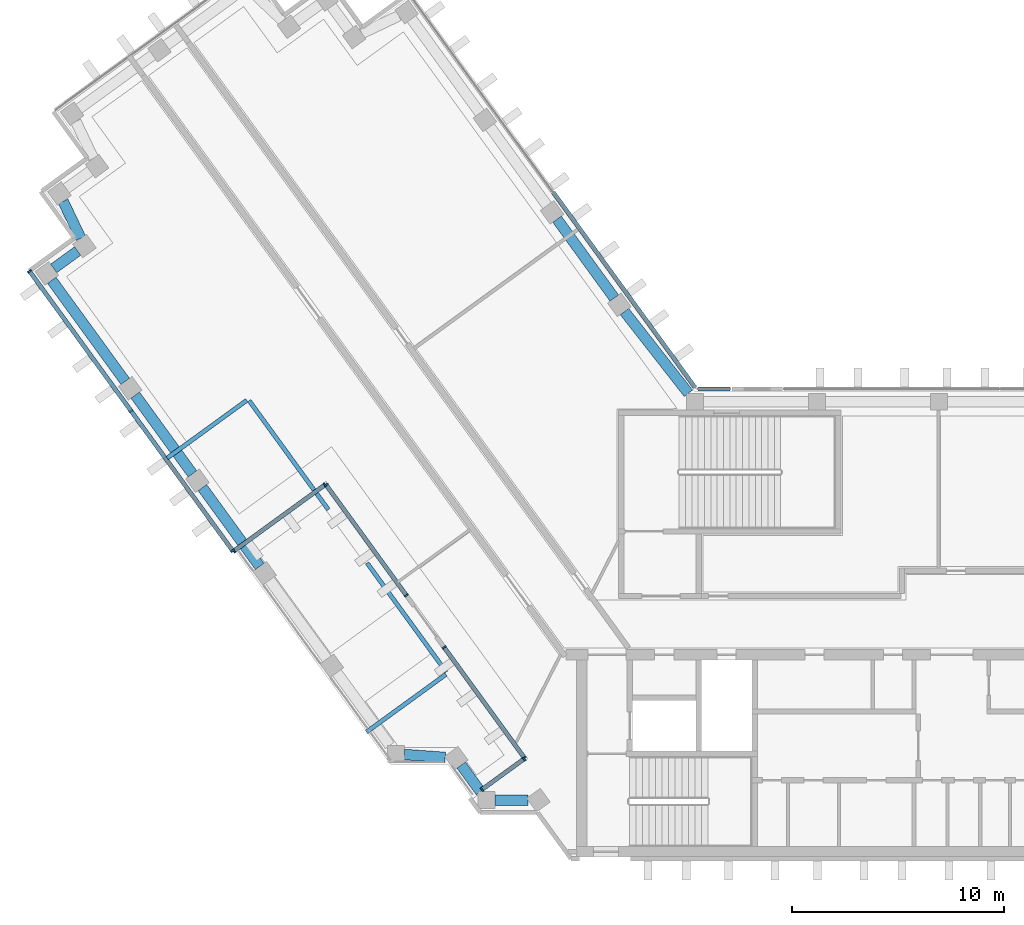
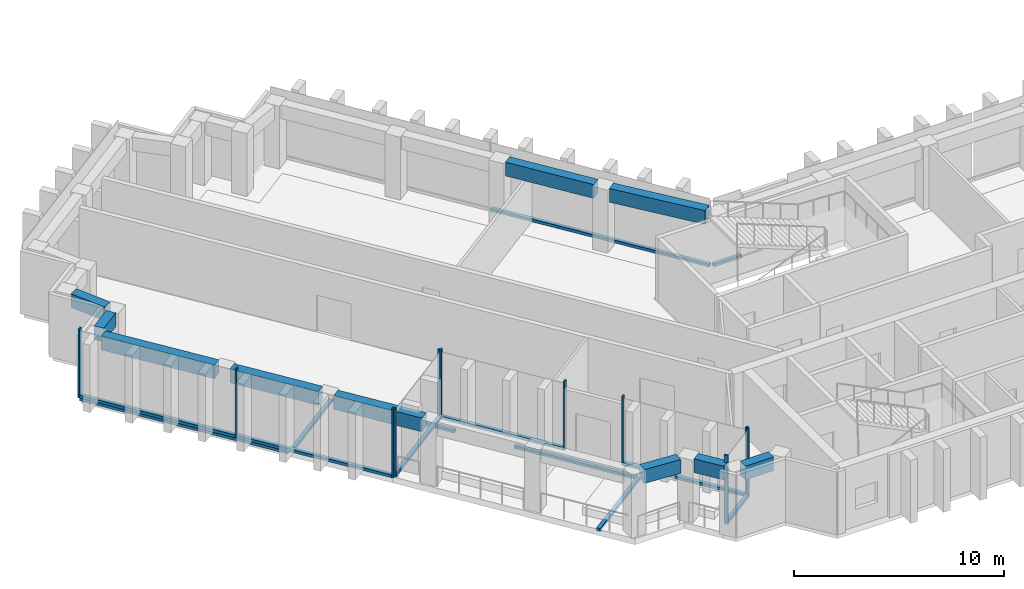
"""IFC4 building model written with IfcOpenShell, lengths in metres."""

from ifc_helpers import new_model, si_unit, direction, frame, origin, origin_2d, place, context, subcontext, project, spatial, rectangle, extrude, material, material_profile, profile_set, type_object, element, aggregate, save


model = new_model("IFC4")

# Units and contexts
model_context = context("Model", 3, precision=1e-05, world=origin(), true_north=direction((0.0, 1.0)))
body_context = subcontext(model_context, "Body", "Model", "MODEL_VIEW")
ifc_project = project(units=[si_unit("LENGTHUNIT", "METRE"), si_unit("AREAUNIT", "SQUARE_METRE"), si_unit("VOLUMEUNIT", "CUBIC_METRE"), si_unit("PLANEANGLEUNIT", "RADIAN"), si_unit("MASSUNIT", "GRAM", prefix="KILO")], contexts=[model_context])

# Site, building, storey
site_placement = place(None, origin())
site = spatial("IfcSite", under=ifc_project, at=site_placement, CompositionType="ELEMENT")
building_placement = place(site_placement, origin())
building = spatial("IfcBuilding", under=site, at=building_placement, Name="Quipu Civic Tower", CompositionType="ELEMENT")
storey_1_placement = place(building_placement, frame((0.0, 0.0, 164.0)))
storey_1 = spatial("IfcBuildingStorey", under=building, at=storey_1_placement, Name="L38", CompositionType="ELEMENT", Elevation=164.0)

# Curtain wall, members
ifc_material_1 = material(Name="Insulated glass unit", Category="glass")
curtain_wall_type = type_object("IfcCurtainWallType", Name="Office curtain wall CW1", PredefinedType="NOTDEFINED", material=ifc_material_1)
curtain_wall_1_placement = place(storey_1_placement, origin())
curtain_wall_1 = element("IfcCurtainWall", 1, at=curtain_wall_1_placement, inside=storey_1, type_object=curtain_wall_type, Name="Office curtain wall CW1 L38 run 1", PredefinedType="NOTDEFINED")
ifc_material_2 = material(Name="Anodised aluminium", Category="aluminium")
ifc_material_profile_1 = material_profile(ifc_material_2, rectangle(XDim=0.199951171875, YDim=0.080078125, at=origin_2d()), Name="RECT 200x80")
ifc_profile_set_1 = profile_set([ifc_material_profile_1], Name="Anodised aluminium")
member_type_1 = type_object("IfcMemberType", Name="Mullion CW1", PredefinedType="MULLION", material=ifc_profile_set_1)
member_1_placement = place(storey_1_placement, frame((-45.825927734375, 16.661865234375, 0.080078125), z_axis=(0.0, 0.0, 1.0), x_axis=(0.80901470235, 0.587788406981, 0.0)))
member_1 = element("IfcMember", 2, at=member_1_placement, type_object=member_type_1, Name="CW1 mullion 1", PredefinedType="MULLION", context=body_context, shape_type="SweptSolid", body=[
    extrude(rectangle(XDim=0.199951171875, YDim=0.080078125, at=origin_2d()), origin(), (0.0, 0.0, 1.0), 4.0),
])
member_2_placement = place(storey_1_placement, frame((-41.029541015625, 10.060302734375, 0.080078125), z_axis=(0.0, 0.0, 1.0), x_axis=(0.80901470235, 0.587788406981, 0.0)))
member_2 = element("IfcMember", 3, at=member_2_placement, type_object=member_type_1, Name="CW1 mullion 2", PredefinedType="MULLION", context=body_context, shape_type="SweptSolid", body=[
    extrude(rectangle(XDim=0.199951171875, YDim=0.080078125, at=origin_2d()), origin(), (0.0, 0.0, 1.0), 4.0),
])
member_3_placement = place(storey_1_placement, frame((-36.2333984375, 3.458740234375, 0.080078125), z_axis=(0.0, 0.0, 1.0), x_axis=(0.80901470235, 0.587788406981, 0.0)))
member_3 = element("IfcMember", 4, at=member_3_placement, type_object=member_type_1, Name="CW1 mullion 3", PredefinedType="MULLION", context=body_context, shape_type="SweptSolid", body=[
    extrude(rectangle(XDim=0.199951171875, YDim=0.080078125, at=origin_2d()), origin(), (0.0, 0.0, 1.0), 4.0),
])

curtain_wall_2_placement = place(storey_1_placement, origin())
curtain_wall_2 = element("IfcCurtainWall", 5, at=curtain_wall_2_placement, inside=storey_1, type_object=curtain_wall_type, Name="Office curtain wall CW1 L38 run 2", PredefinedType="NOTDEFINED")
member_4_placement = place(storey_1_placement, frame((-36.177490234375, 3.449951171875, 0.080078125), z_axis=(0.0, 0.0, 1.0), x_axis=(-0.587779635352, 0.809021075291, 0.0)))
member_4 = element("IfcMember", 6, at=member_4_placement, type_object=member_type_1, Name="CW1 mullion 1", PredefinedType="MULLION", context=body_context, shape_type="SweptSolid", body=[
    extrude(rectangle(XDim=0.199951171875, YDim=0.080078125, at=origin_2d()), origin(), (0.0, 0.0, 1.0), 4.0),
])
member_5_placement = place(storey_1_placement, frame((-31.87353515625, 6.576904296875, 0.080078125), z_axis=(0.0, 0.0, 1.0), x_axis=(-0.587779635352, 0.809021075291, 0.0)))
member_5 = element("IfcMember", 7, at=member_5_placement, type_object=member_type_1, Name="CW1 mullion 2", PredefinedType="MULLION", context=body_context, shape_type="SweptSolid", body=[
    extrude(rectangle(XDim=0.199951171875, YDim=0.080078125, at=origin_2d()), origin(), (0.0, 0.0, 1.0), 4.0),
])

curtain_wall_3_placement = place(storey_1_placement, origin())
curtain_wall_3 = element("IfcCurtainWall", 8, at=curtain_wall_3_placement, inside=storey_1, type_object=curtain_wall_type, Name="Office curtain wall CW1 L38 run 3", PredefinedType="NOTDEFINED")
member_6_placement = place(storey_1_placement, frame((-31.817626953125, 6.568115234375, 0.080078125), z_axis=(0.0, 0.0, 1.0), x_axis=(0.809021906018, 0.587778491936, 0.0)))
member_6 = element("IfcMember", 9, at=member_6_placement, type_object=member_type_1, Name="CW1 mullion 1", PredefinedType="MULLION", context=body_context, shape_type="SweptSolid", body=[
    extrude(rectangle(XDim=0.199951171875, YDim=0.080078125, at=origin_2d()), origin(), (0.0, 0.0, 1.0), 4.0),
])
member_7_placement = place(storey_1_placement, frame((-28.033203125, 1.359130859375, 0.080078125), z_axis=(0.0, 0.0, 1.0), x_axis=(0.809021906018, 0.587778491936, 0.0)))
member_7 = element("IfcMember", 10, at=member_7_placement, type_object=member_type_1, Name="CW1 mullion 2", PredefinedType="MULLION", context=body_context, shape_type="SweptSolid", body=[
    extrude(rectangle(XDim=0.199951171875, YDim=0.080078125, at=origin_2d()), origin(), (0.0, 0.0, 1.0), 4.0),
])

curtain_wall_4_placement = place(storey_1_placement, origin())
curtain_wall_4 = element("IfcCurtainWall", 11, at=curtain_wall_4_placement, inside=storey_1, type_object=curtain_wall_type, Name="Office curtain wall CW1 L38 run 5", PredefinedType="NOTDEFINED")
member_8_placement = place(storey_1_placement, frame((-26.244384765625, -1.1025390625, 0.080078125), z_axis=(0.0, 0.0, 1.0), x_axis=(0.809018600878, 0.587783041125, 0.0)))
member_8 = element("IfcMember", 12, at=member_8_placement, type_object=member_type_1, Name="CW1 mullion 1", PredefinedType="MULLION", context=body_context, shape_type="SweptSolid", body=[
    extrude(rectangle(XDim=0.199951171875, YDim=0.080078125, at=origin_2d()), origin(), (0.0, 0.0, 1.0), 4.0),
])
member_9_placement = place(storey_1_placement, frame((-22.460205078125, -6.3115234375, 0.080078125), z_axis=(0.0, 0.0, 1.0), x_axis=(0.809018600878, 0.587783041125, 0.0)))
member_9 = element("IfcMember", 13, at=member_9_placement, type_object=member_type_1, Name="CW1 mullion 2", PredefinedType="MULLION", context=body_context, shape_type="SweptSolid", body=[
    extrude(rectangle(XDim=0.199951171875, YDim=0.080078125, at=origin_2d()), origin(), (0.0, 0.0, 1.0), 4.0),
])

curtain_wall_5_placement = place(storey_1_placement, origin())
curtain_wall_5 = element("IfcCurtainWall", 14, at=curtain_wall_5_placement, inside=storey_1, type_object=curtain_wall_type, Name="Office curtain wall CW1 L38 run 6", PredefinedType="NOTDEFINED")
member_10_placement = place(storey_1_placement, frame((-22.468994140625, -6.367431640625, 0.080078125), z_axis=(0.0, 0.0, 1.0), x_axis=(0.587789373972, -0.809013999783, 0.0)))
member_10 = element("IfcMember", 15, at=member_10_placement, type_object=member_type_1, Name="CW1 mullion 1", PredefinedType="MULLION", context=body_context, shape_type="SweptSolid", body=[
    extrude(rectangle(XDim=0.199951171875, YDim=0.080078125, at=origin_2d()), origin(), (0.0, 0.0, 1.0), 4.0),
])
member_11_placement = place(storey_1_placement, frame((-24.455322265625, -7.810546875, 0.080078125), z_axis=(0.0, 0.0, 1.0), x_axis=(0.587789373972, -0.809013999783, 0.0)))
member_11 = element("IfcMember", 16, at=member_11_placement, type_object=member_type_1, Name="CW1 mullion 2", PredefinedType="MULLION", context=body_context, shape_type="SweptSolid", body=[
    extrude(rectangle(XDim=0.199951171875, YDim=0.080078125, at=origin_2d()), origin(), (0.0, 0.0, 1.0), 4.0),
])

# Beams
ifc_material_3 = material(Name="Concrete C50/60", Category="concrete")
ifc_material_profile_2 = material_profile(ifc_material_3, rectangle(XDim=0.5, YDim=0.800048828125, at=origin_2d()), Name="RC500x800")
ifc_profile_set_2 = profile_set([ifc_material_profile_2], Name="Concrete C50/60")
beam_type = type_object("IfcBeamType", Name="Spandrel beam RC 500x800 C50/60", PredefinedType="SPANDREL", material=ifc_profile_set_2)
beam_1_placement = place(storey_1_placement, frame((-18.208740234375, 15.398681640625, 3.25), z_axis=(-0.58776136044, 0.809034352283, 0.0), x_axis=(-0.809034352283, -0.58776136044, 0.0)))
element("IfcBeam", 17, at=beam_1_placement, inside=storey_1, type_object=beam_type, Name="Spandrel beam L38 W-IN-01 to W-IN-02", PredefinedType="SPANDREL", context=body_context, shape_type="SweptSolid", body=[
    extrude(rectangle(XDim=0.5, YDim=0.800048828125, at=origin_2d()), origin(), (0.0, 0.0, 1.0), 4.599853515625),
])
beam_2_placement = place(storey_1_placement, frame((-44.23974609375, 19.9677734375, 3.25), z_axis=(0.430785642718, -0.902454281406, 0.0), x_axis=(0.902454281406, 0.430785642718, 0.0)))
element("IfcBeam", 18, at=beam_2_placement, inside=storey_1, type_object=beam_type, Name="Spandrel beam L38 T-Wo.2-W34 to T-Wo.3-W34", PredefinedType="SPANDREL", context=body_context, shape_type="SweptSolid", body=[
    extrude(rectangle(XDim=0.5, YDim=0.800048828125, at=origin_2d()), origin(), (0.0, 0.0, 1.0), 1.934814453125),
])
beam_3_placement = place(storey_1_placement, frame((-43.554443359375, 17.619140625, 3.25), z_axis=(-0.808600329101, -0.588358315805, 0.0), x_axis=(0.588358315805, -0.808600329101, 0.0)))
element("IfcBeam", 19, at=beam_3_placement, inside=storey_1, type_object=beam_type, Name="Spandrel beam L38 T-Wo.3-W34 to T-Wo.4-W34", PredefinedType="SPANDREL", context=body_context, shape_type="SweptSolid", body=[
    extrude(rectangle(XDim=0.5, YDim=0.800048828125, at=origin_2d()), origin(), (0.0, 0.0, 1.0), 1.400146484375),
])
beam_4_placement = place(storey_1_placement, frame((-44.77490234375, 16.236328125, 3.25), z_axis=(0.58780026889, -0.809006083965, 0.0), x_axis=(0.809006083965, 0.58780026889, 0.0)))
element("IfcBeam", 20, at=beam_4_placement, inside=storey_1, type_object=beam_type, Name="Spandrel beam L38 T-Wo.4-W34 to W-OUT-04", PredefinedType="SPANDREL", context=body_context, shape_type="SweptSolid", body=[
    extrude(rectangle(XDim=0.5, YDim=0.800048828125, at=origin_2d()), origin(), (0.0, 0.0, 1.0), 5.902587890625),
])
beam_5_placement = place(storey_1_placement, frame((-40.835205078125, 10.81396484375, 3.25), z_axis=(0.587770861189, -0.809027449928, 0.0), x_axis=(0.809027449928, 0.587770861189, 0.0)))
element("IfcBeam", 21, at=beam_5_placement, inside=storey_1, type_object=beam_type, Name="Spandrel beam L38 W-OUT-04 to W-OUT-03", PredefinedType="SPANDREL", context=body_context, shape_type="SweptSolid", body=[
    extrude(rectangle(XDim=0.5, YDim=0.800048828125, at=origin_2d()), origin(), (0.0, 0.0, 1.0), 4.60009765625),
])
beam_6_placement = place(storey_1_placement, frame((-37.6611328125, 6.445068359375, 3.25), z_axis=(0.58776136044, -0.809034352283, 0.0), x_axis=(0.809034352283, 0.58776136044, 0.0)))
element("IfcBeam", 22, at=beam_6_placement, inside=storey_1, type_object=beam_type, Name="Spandrel beam L38 W-OUT-03 to W-OUT-02", PredefinedType="SPANDREL", context=body_context, shape_type="SweptSolid", body=[
    extrude(rectangle(XDim=0.5, YDim=0.800048828125, at=origin_2d()), origin(), (0.0, 0.0, 1.0), 4.599853515625),
])
beam_7_placement = place(storey_1_placement, frame((-28.125, -6.158935546875, 3.25), z_axis=(0.997370796499, -0.072467194581, 0.0), x_axis=(0.072467194581, 0.997370796499, 0.0)))
element("IfcBeam", 23, at=beam_7_placement, inside=storey_1, type_object=beam_type, Name="Spandrel beam L38 J-Wo.0 to J-Wo.1", PredefinedType="SPANDREL", context=body_context, shape_type="SweptSolid", body=[
    extrude(rectangle(XDim=0.5, YDim=0.800048828125, at=origin_2d()), origin(), (0.0, 0.0, 1.0), 1.933837890625),
])
beam_8_placement = place(storey_1_placement, frame((-25.43896484375, -6.660400390625, 3.25), z_axis=(0.588330737135, -0.808620395329, 0.0), x_axis=(0.808620395329, 0.588330737135, 0.0)))
element("IfcBeam", 24, at=beam_8_placement, inside=storey_1, type_object=beam_type, Name="Spandrel beam L38 J-Wo.1 to J-Wo.2", PredefinedType="SPANDREL", context=body_context, shape_type="SweptSolid", body=[
    extrude(rectangle(XDim=0.5, YDim=0.800048828125, at=origin_2d()), origin(), (0.0, 0.0, 1.0), 1.551513671875),
])
beam_9_placement = place(storey_1_placement, frame((-23.8349609375, -8.31494140625, 3.25), z_axis=(1.0, 0.0, 0.0), x_axis=(0.0, 1.0, 0.0)))
element("IfcBeam", 25, at=beam_9_placement, inside=storey_1, type_object=beam_type, Name="Spandrel beam L38 J-Wo.2 to J-Wo.3", PredefinedType="SPANDREL", context=body_context, shape_type="SweptSolid", body=[
    extrude(rectangle(XDim=0.5, YDim=0.800048828125, at=origin_2d()), origin(), (0.0, 0.0, 1.0), 1.548828125),
])
beam_10_placement = place(storey_1_placement, frame((-14.7080078125, 10.89990234375, 3.25), z_axis=(-0.616090612932, 0.787675286306, 0.0), x_axis=(-0.787675286306, -0.616090612932, 0.0)))
element("IfcBeam", 26, at=beam_10_placement, inside=storey_1, type_object=beam_type, Name="Spandrel beam L38 J-Wi.0 to W-IN-01", PredefinedType="SPANDREL", context=body_context, shape_type="SweptSolid", body=[
    extrude(rectangle(XDim=0.5, YDim=0.800048828125, at=origin_2d()), origin(), (0.0, 0.0, 1.0), 4.900390625),
])

# Storey
storey_2_placement = place(building_placement, frame((0.0, 0.0, 160.0)))
storey_2 = spatial("IfcBuildingStorey", under=building, at=storey_2_placement, Name="L37", CompositionType="ELEMENT", Elevation=160.0)

# Curtain wall, member
curtain_wall_6_placement = place(storey_2_placement, origin())
curtain_wall_6 = element("IfcCurtainWall", 27, at=curtain_wall_6_placement, inside=storey_2, type_object=curtain_wall_type, Name="Office curtain wall CW1 L37 run 1", PredefinedType="NOTDEFINED")
ifc_material_4 = material(Name="Anodised aluminium", Category="aluminium")
ifc_material_profile_3 = material_profile(ifc_material_4, rectangle(XDim=0.199951171875, YDim=0.159912109375, at=origin_2d()), Name="RECT 200x160")
ifc_profile_set_3 = profile_set([ifc_material_profile_3], Name="Anodised aluminium")
member_type_2 = type_object("IfcMemberType", Name="Transom CW1", PredefinedType="USERDEFINED", material=ifc_profile_set_3)
member_12_placement = place(storey_1_placement, frame((-45.802490234375, 16.629638671875, 0.0), z_axis=(0.587783274816, -0.809018431092, 0.0), x_axis=(0.809018431092, 0.587783274816, 0.0)))
member_12 = element("IfcMember", 28, at=member_12_placement, inside=storey_1, type_object=member_type_2, Name="CW1 transom 1.2", ObjectType="TRANSOM", PredefinedType="USERDEFINED", context=body_context, shape_type="SweptSolid", body=[
    extrude(rectangle(XDim=0.199951171875, YDim=0.159912109375, at=origin_2d()), origin(), (0.0, 0.0, 1.0), 10.840087890625),
])
aggregate(curtain_wall_6, [member_12])

curtain_wall_7_placement = place(storey_2_placement, origin())
curtain_wall_7 = element("IfcCurtainWall", 29, at=curtain_wall_7_placement, inside=storey_2, type_object=curtain_wall_type, Name="Office curtain wall CW1 L37 run 2", PredefinedType="NOTDEFINED")
member_13_placement = place(storey_1_placement, frame((-39.319091796875, 7.84228515625, 0.0), z_axis=(0.809006769669, 0.587799325136, 0.0), x_axis=(-0.587799325136, 0.809006769669, 0.0)))
member_13 = element("IfcMember", 30, at=member_13_placement, inside=storey_1, type_object=member_type_2, Name="CW1 transom 1.2", ObjectType="TRANSOM", PredefinedType="USERDEFINED", context=body_context, shape_type="SweptSolid", body=[
    extrude(rectangle(XDim=0.199951171875, YDim=0.159912109375, at=origin_2d()), origin(), (0.0, 0.0, 1.0), 4.639892578125),
])
aggregate(curtain_wall_7, [member_13])

curtain_wall_8_placement = place(storey_2_placement, origin())
curtain_wall_8 = element("IfcCurtainWall", 31, at=curtain_wall_8_placement, inside=storey_2, type_object=curtain_wall_type, Name="Office curtain wall CW1 L37 run 3", PredefinedType="NOTDEFINED")
member_14_placement = place(storey_1_placement, frame((-35.45361328125, 10.5517578125, 0.0), z_axis=(0.587792686492, -0.809011593061, 0.0), x_axis=(0.809011593061, 0.587792686492, 0.0)))
member_14 = element("IfcMember", 32, at=member_14_placement, inside=storey_1, type_object=member_type_2, Name="CW1 transom 1.2", ObjectType="TRANSOM", PredefinedType="USERDEFINED", context=body_context, shape_type="SweptSolid", body=[
    extrude(rectangle(XDim=0.199951171875, YDim=0.159912109375, at=origin_2d()), origin(), (0.0, 0.0, 1.0), 6.359130859375),
])
aggregate(curtain_wall_8, [member_14])

curtain_wall_9_placement = place(storey_2_placement, origin())
curtain_wall_9 = element("IfcCurtainWall", 33, at=curtain_wall_9_placement, inside=storey_2, type_object=curtain_wall_type, Name="Office curtain wall CW1 L37 run 5", PredefinedType="NOTDEFINED")
member_15_placement = place(storey_1_placement, frame((-29.88037109375, 2.880859375, 0.0), z_axis=(0.587797201853, -0.809008312376, 0.0), x_axis=(0.809008312376, 0.587797201853, 0.0)))
member_15 = element("IfcMember", 34, at=member_15_placement, inside=storey_1, type_object=member_type_2, Name="CW1 transom 1.2", ObjectType="TRANSOM", PredefinedType="USERDEFINED", context=body_context, shape_type="SweptSolid", body=[
    extrude(rectangle(XDim=0.199951171875, YDim=0.159912109375, at=origin_2d()), origin(), (0.0, 0.0, 1.0), 6.358154296875),
])
aggregate(curtain_wall_9, [member_15])

curtain_wall_10_placement = place(storey_2_placement, origin())
curtain_wall_10 = element("IfcCurtainWall", 35, at=curtain_wall_10_placement, inside=storey_2, type_object=curtain_wall_type, Name="Office curtain wall CW1 L37 run 6", PredefinedType="NOTDEFINED")
member_16_placement = place(storey_1_placement, frame((-26.160888671875, -2.374755859375, 0.0), z_axis=(-0.809006769669, -0.587799325136, 0.0), x_axis=(0.587799325136, -0.809006769669, 0.0)))
member_16 = element("IfcMember", 36, at=member_16_placement, inside=storey_1, type_object=member_type_2, Name="CW1 transom 1.2", ObjectType="TRANSOM", PredefinedType="USERDEFINED", context=body_context, shape_type="SweptSolid", body=[
    extrude(rectangle(XDim=0.199951171875, YDim=0.159912109375, at=origin_2d()), origin(), (0.0, 0.0, 1.0), 4.639892578125),
])
aggregate(curtain_wall_10, [member_16])

curtain_wall_11_placement = place(storey_2_placement, origin())
curtain_wall_11 = element("IfcCurtainWall", 37, at=curtain_wall_11_placement, inside=storey_2, type_object=curtain_wall_type, Name="Office curtain wall CW1 L36 run 10", PredefinedType="NOTDEFINED")
member_17_placement = place(storey_1_placement, frame((-14.39111328125, 11.164794921875, 0.080078125), z_axis=(-0.587799878401, 0.809006367683, 0.0), x_axis=(-0.809006367683, -0.587799878401, 0.0)))
member_17 = element("IfcMember", 38, at=member_17_placement, inside=storey_1, type_object=member_type_2, Name="CW1 transom 1.3", ObjectType="TRANSOM", PredefinedType="USERDEFINED", context=body_context, shape_type="SweptSolid", body=[
    extrude(rectangle(XDim=0.199951171875, YDim=0.159912109375, at=origin_2d()), origin(), (0.0, 0.0, 1.0), 11.402099609375),
])
aggregate(curtain_wall_11, [member_17])

curtain_wall_12_placement = place(storey_2_placement, origin())
curtain_wall_12 = element("IfcCurtainWall", 39, at=curtain_wall_12_placement, inside=storey_2, type_object=curtain_wall_type, Name="Office curtain wall CW1 L36 run 41", PredefinedType="NOTDEFINED")
member_18_placement = place(storey_1_placement, frame((-12.735107421875, 11.10009765625, 0.080078125), z_axis=(-1.0, 0.0, 0.0), x_axis=(0.0, -1.0, 0.0)))
member_18 = element("IfcMember", 40, at=member_18_placement, inside=storey_1, type_object=member_type_2, Name="CW1 transom 1.3", ObjectType="TRANSOM", PredefinedType="USERDEFINED", context=body_context, shape_type="SweptSolid", body=[
    extrude(rectangle(XDim=0.199951171875, YDim=0.159912109375, at=origin_2d()), origin(), (0.0, 0.0, 1.0), 1.529052734375),
])
aggregate(curtain_wall_12, [member_18])

# Member
member_19_placement = place(storey_1_placement, frame((-45.802490234375, 16.629638671875, 0.159912109375), z_axis=(0.587781767955, -0.809019525883, 0.0), x_axis=(0.809019525883, 0.587781767955, 0.0)))
member_19 = element("IfcMember", 41, at=member_19_placement, type_object=member_type_2, Name="CW1 transom 1.1", ObjectType="TRANSOM", PredefinedType="USERDEFINED", context=body_context, shape_type="SweptSolid", body=[
    extrude(rectangle(XDim=0.199951171875, YDim=0.159912109375, at=origin_2d()), origin(), (0.0, 0.0, 1.0), 8.080078125),
])

member_20_placement = place(storey_1_placement, frame((-41.006103515625, 10.028076171875, 0.159912109375), z_axis=(0.587781767955, -0.809019525883, 0.0), x_axis=(0.809019525883, 0.587781767955, 0.0)))
member_20 = element("IfcMember", 42, at=member_20_placement, type_object=member_type_2, Name="CW1 transom 2.1", ObjectType="TRANSOM", PredefinedType="USERDEFINED", context=body_context, shape_type="SweptSolid", body=[
    extrude(rectangle(XDim=0.199951171875, YDim=0.159912109375, at=origin_2d()), origin(), (0.0, 0.0, 1.0), 8.080078125),
])

aggregate(curtain_wall_1, [member_1, member_2, member_3, member_19, member_20])

member_21_placement = place(storey_1_placement, frame((-36.14501953125, 3.4736328125, 0.159912109375), z_axis=(0.809032158953, 0.587764379475, 0.0), x_axis=(-0.587764379475, 0.809032158953, 0.0)))
member_21 = element("IfcMember", 43, at=member_21_placement, type_object=member_type_2, Name="CW1 transom 1.1", ObjectType="TRANSOM", PredefinedType="USERDEFINED", context=body_context, shape_type="SweptSolid", body=[
    extrude(rectangle(XDim=0.199951171875, YDim=0.159912109375, at=origin_2d()), origin(), (0.0, 0.0, 1.0), 5.239990234375),
])

aggregate(curtain_wall_2, [member_4, member_5, member_21])

member_22_placement = place(storey_1_placement, frame((-31.794189453125, 6.535888671875, 0.159912109375), z_axis=(0.587785815007, -0.809016585539, 0.0), x_axis=(0.809016585539, 0.587785815007, 0.0)))
member_22 = element("IfcMember", 44, at=member_22_placement, type_object=member_type_2, Name="CW1 transom 1.1", ObjectType="TRANSOM", PredefinedType="USERDEFINED", context=body_context, shape_type="SweptSolid", body=[
    extrude(rectangle(XDim=0.199951171875, YDim=0.159912109375, at=origin_2d()), origin(), (0.0, 0.0, 1.0), 6.358642578125),
])

aggregate(curtain_wall_3, [member_6, member_7, member_22])

member_23_placement = place(storey_1_placement, frame((-26.220947265625, -1.135009765625, 0.159912109375), z_axis=(0.587778942742, -0.809021578494, 0.0), x_axis=(0.809021578494, 0.587778942742, 0.0)))
member_23 = element("IfcMember", 45, at=member_23_placement, type_object=member_type_2, Name="CW1 transom 1.1", ObjectType="TRANSOM", PredefinedType="USERDEFINED", context=body_context, shape_type="SweptSolid", body=[
    extrude(rectangle(XDim=0.199951171875, YDim=0.159912109375, at=origin_2d()), origin(), (0.0, 0.0, 1.0), 6.3583984375),
])

aggregate(curtain_wall_4, [member_8, member_9, member_23])

member_24_placement = place(storey_1_placement, frame((-22.501220703125, -6.390869140625, 0.159912109375), z_axis=(-0.809033746327, -0.587762194518, 0.0), x_axis=(0.587762194518, -0.809033746327, 0.0)))
member_24 = element("IfcMember", 46, at=member_24_placement, type_object=member_type_2, Name="CW1 transom 1.1", ObjectType="TRANSOM", PredefinedType="USERDEFINED", context=body_context, shape_type="SweptSolid", body=[
    extrude(rectangle(XDim=0.199951171875, YDim=0.159912109375, at=origin_2d()), origin(), (0.0, 0.0, 1.0), 2.37548828125),
])

aggregate(curtain_wall_5, [member_10, member_11, member_24])

save(model, "model.ifc")
